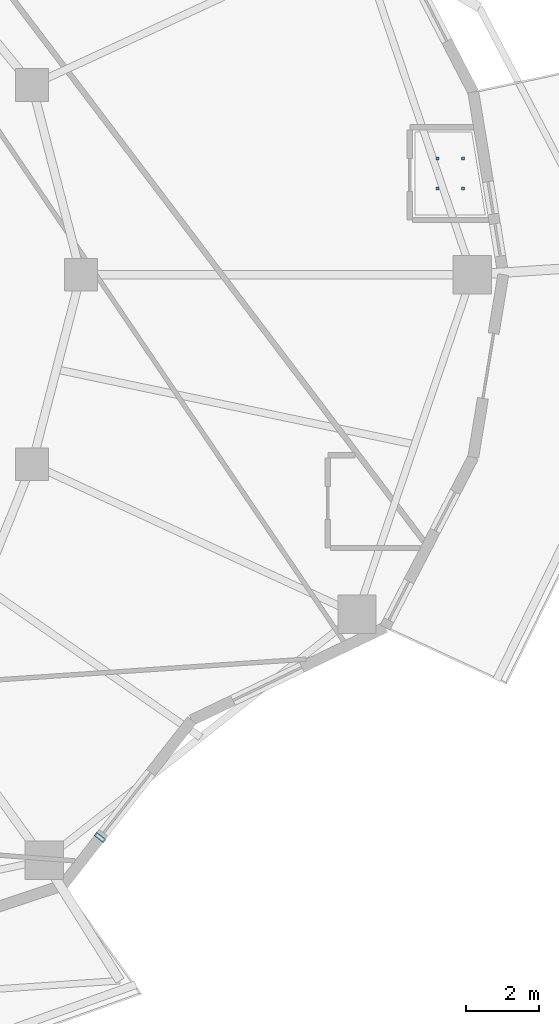
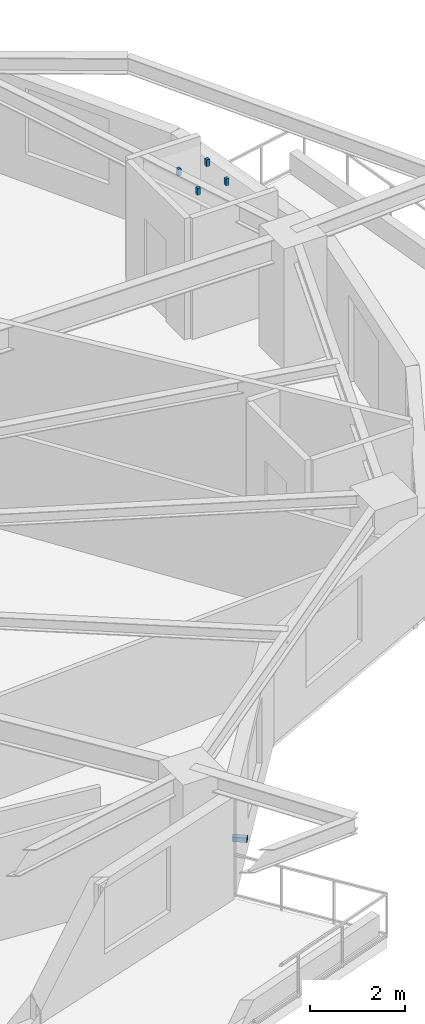
# One storey, part 10 of 17: 5 discrete accessories.
"""IFC4 building model written with IfcOpenShell, lengths in metres."""

from ifc_helpers import new_model, si_unit, direction, frame, origin, origin_2d, place, context, subcontext, project, spatial, rectangle, extrude, material, type_object, element, save


model = new_model("IFC4")

# Units and contexts
model_context = context("Model", 3, precision=1e-05, world=origin(), true_north=direction((0.0, 1.0)))
body_context = subcontext(model_context, "Body", "Model", "MODEL_VIEW")
ifc_project = project(units=[si_unit("LENGTHUNIT", "METRE"), si_unit("AREAUNIT", "SQUARE_METRE"), si_unit("VOLUMEUNIT", "CUBIC_METRE"), si_unit("PLANEANGLEUNIT", "RADIAN"), si_unit("MASSUNIT", "GRAM", prefix="KILO")], contexts=[model_context])

# Site, building, storey
site_placement = place(None, origin())
site = spatial("IfcSite", under=ifc_project, at=site_placement, CompositionType="ELEMENT")
building_placement = place(site_placement, origin())
building = spatial("IfcBuilding", under=site, at=building_placement, Name="Kolvaren Gate Tower and Convention Centre", CompositionType="ELEMENT")
storey_placement = place(building_placement, frame((0.0, 0.0, 125.699951171875)))
storey = spatial("IfcBuildingStorey", under=building, at=storey_placement, Name="L31", CompositionType="ELEMENT", Elevation=125.699951171875)

# Discrete accessories
ifc_material_1 = material(Name="Anodized Architectural Aluminium Alloy 6063-T6", Category="aluminium")
discrete_accessory_type_1 = type_object("IfcDiscreteAccessoryType", Name="ARCH-ACC-BRACKET-120", PredefinedType="BRACKET", material=ifc_material_1)
discrete_accessory_placement = place(storey_placement, frame((43.24755859375, 11.556640625, 0.2900390625), z_axis=(0.0, 0.0, 1.0), x_axis=(0.616424499081, 0.787414018756, 0.0)))
element("IfcDiscreteAccessory", 1, at=discrete_accessory_placement, inside=storey, type_object=discrete_accessory_type_1, Name="Ceramic Fin Wall Anchor Bracket FBK-L31-20", PredefinedType="BRACKET", context=body_context, shape_type="SweptSolid", body=[
    extrude(rectangle(XDim=0.1201171875, YDim=0.320068359375, at=origin_2d()), origin(), (0.0, 0.0, 1.0), 0.1201171875),
])
ifc_material_2 = material(Name="Brushed Stainless Steel Grade 316L", Category="steel")
discrete_accessory_type_2 = type_object("IfcDiscreteAccessoryType", Name="ARCH-ACC-HANGER-80", PredefinedType="BRACKET", material=ifc_material_2)
for number, where, z_axis, x_axis, name in (
    (2, (52.508056640625, 29.365966796875, 2.9501953125), (0.0, 0.0, 1.0), (1.0, 0.0, 0.0), "En-suite Bathroom (HTL-L31-06) Ceiling Suspension Hanger Clip 1"),
    (3, (53.201904296875, 29.365966796875, 2.9501953125), (0.0, 0.0, 1.0), (1.0, 0.0, 0.0), "En-suite Bathroom (HTL-L31-06) Ceiling Suspension Hanger Clip 2"),
    (4, (52.508056640625, 30.18408203125, 2.9501953125), (0.0, 0.0, 1.0), (1.0, 0.0, 0.0), "En-suite Bathroom (HTL-L31-06) Ceiling Suspension Hanger Clip 3"),
    (5, (53.201904296875, 30.18408203125, 2.9501953125), (0.0, 0.0, 1.0), (1.0, 0.0, 0.0), "En-suite Bathroom (HTL-L31-06) Ceiling Suspension Hanger Clip 4"),
):
    element("IfcDiscreteAccessory", number, at=place(storey_placement, frame(where, z_axis=z_axis, x_axis=x_axis)), inside=storey, type_object=discrete_accessory_type_2, Name=name, PredefinedType="BRACKET", context=body_context, shape_type="SweptSolid", body=[
        extrude(rectangle(XDim=0.080078125, YDim=0.080078125, at=origin_2d()), origin(), (0.0, 0.0, 1.0), 0.179931640625),
    ])

save(model, "model.ifc")
